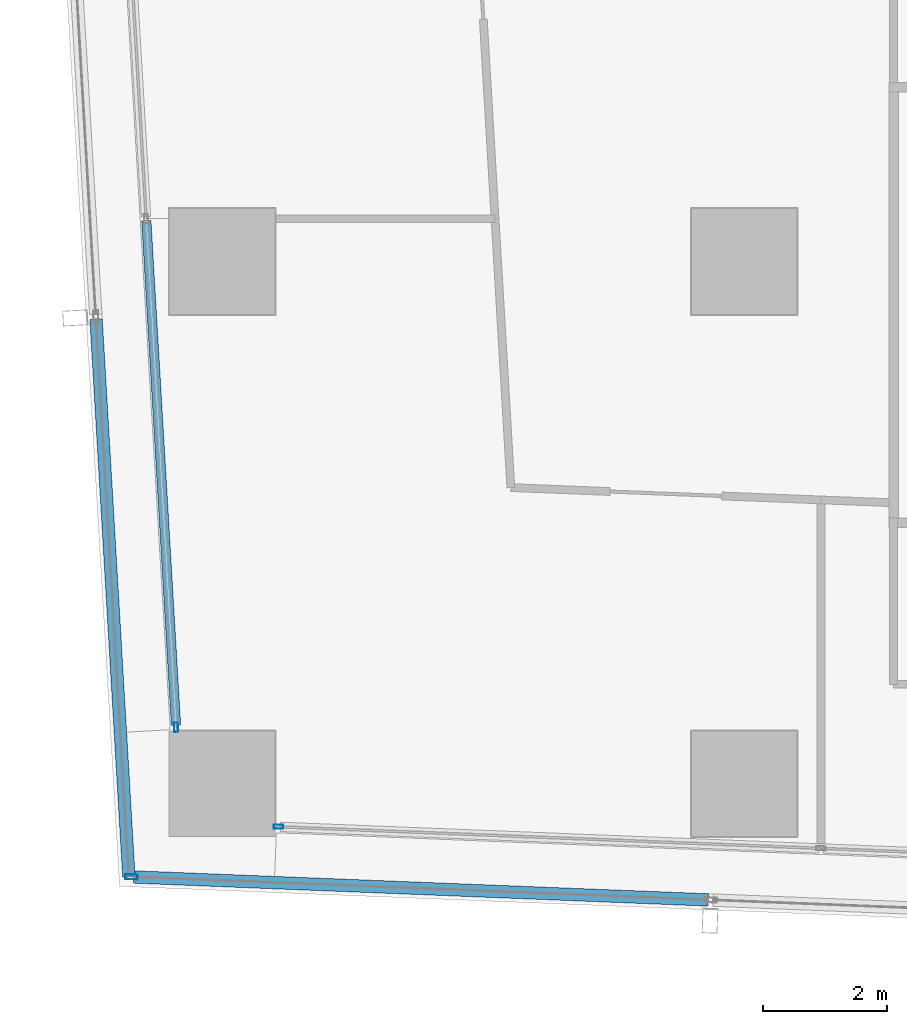
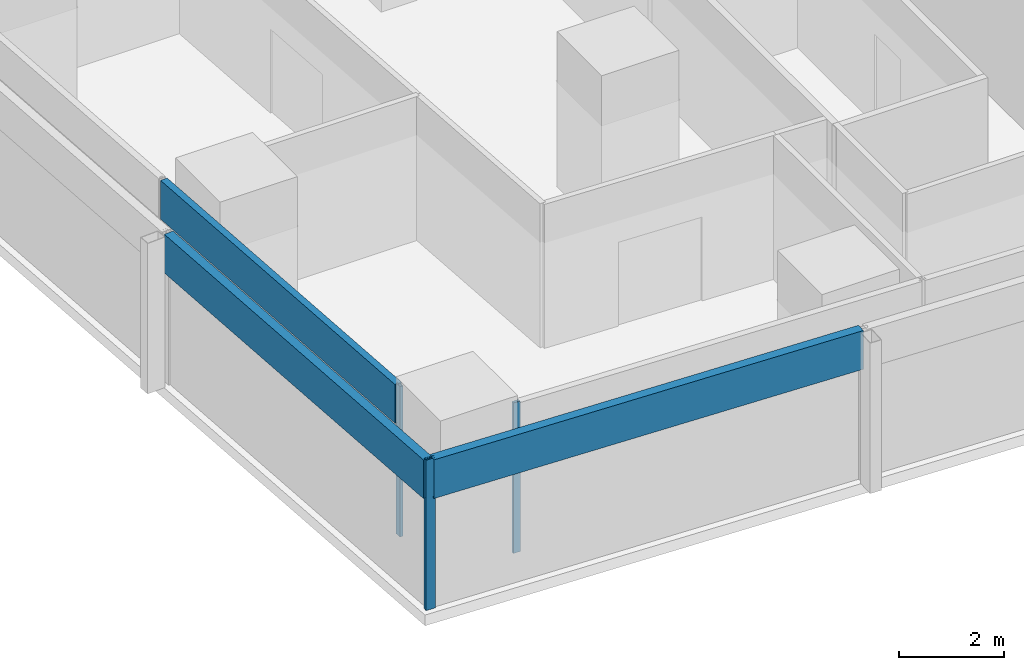
# One storey, part 2 of 34: 6 members, 4 elements without a shape of their own.
"""IFC4 building model written with IfcOpenShell, lengths in metres."""

from ifc_helpers import new_model, si_unit, direction, frame, origin, origin_2d, place, context, subcontext, project, spatial, hollow_rectangle, extrude, material, material_profile, profile_set, type_object, element, aggregate, save


model = new_model("IFC4")

# Units and contexts
model_context = context("Model", 3, precision=1e-05, world=origin(), true_north=direction((0.0, 1.0)))
body_context = subcontext(model_context, "Body", "Model", "MODEL_VIEW")
ifc_project = project(units=[si_unit("LENGTHUNIT", "METRE"), si_unit("AREAUNIT", "SQUARE_METRE"), si_unit("VOLUMEUNIT", "CUBIC_METRE"), si_unit("PLANEANGLEUNIT", "RADIAN"), si_unit("MASSUNIT", "GRAM", prefix="KILO")], contexts=[model_context])

# Site, building, storey
site_placement = place(None, origin())
site = spatial("IfcSite", under=ifc_project, at=site_placement, CompositionType="ELEMENT")
building_placement = place(site_placement, origin())
building = spatial("IfcBuilding", under=site, at=building_placement, Name="Rekha Terrace Tower", CompositionType="ELEMENT")
storey_placement = place(building_placement, frame((0.0, 0.0, 176.449951171875)))
storey = spatial("IfcBuildingStorey", under=building, at=storey_placement, Name="L44", CompositionType="ELEMENT", Elevation=176.449951171875)

# Curtain wall, member
ifc_material_1 = material(Name="Aluminium framing", Category="aluminium")
curtain_wall_type_1 = type_object("IfcCurtainWallType", Name="CW1 double skin inner glazing", PredefinedType="USERDEFINED", material=ifc_material_1)
curtain_wall_1_placement = place(storey_placement, origin())
curtain_wall_1 = element("IfcCurtainWall", 1, at=curtain_wall_1_placement, inside=storey, type_object=curtain_wall_type_1, Name="CW1 double skin inner glazing", ObjectType="DOUBLE SKIN INNER GLAZING", PredefinedType="USERDEFINED")
ifc_material_2 = material(Name="Aluminium mullion section", Category="aluminium")
ifc_material_profile_1 = material_profile(ifc_material_2, hollow_rectangle(XDim=0.06494140625, YDim=0.14990234375, WallThickness=0.00390625, at=origin_2d()), Name="AL RHS 65x150")
ifc_profile_set_1 = profile_set([ifc_material_profile_1], Name="Aluminium mullion section")
member_type_1 = type_object("IfcMemberType", Name="CW1 mullion RHS 65 x 150", PredefinedType="MULLION", material=ifc_profile_set_1)
member_1_placement = place(storey_placement, frame((9.30615234375, 16.10888671875, 0.0), z_axis=(0.0, 0.0, 1.0), x_axis=(0.039872497044, 0.999204775799, 0.0)))
member_1 = element("IfcMember", 2, at=member_1_placement, type_object=member_type_1, Name="CW1 mullion 1", PredefinedType="MULLION", context=body_context, shape_type="SweptSolid", body=[
    extrude(hollow_rectangle(XDim=0.06494140625, YDim=0.14990234375, WallThickness=0.00390625, at=origin_2d()), origin(), (0.0, 0.0, 1.0), 3.5),
])
aggregate(curtain_wall_1, [member_1])

# Curtain wall, members
curtain_wall_2_placement = place(storey_placement, origin())
curtain_wall_2 = element("IfcCurtainWall", 3, at=curtain_wall_2_placement, inside=storey, type_object=curtain_wall_type_1, Name="CW1 double skin inner glazing", ObjectType="DOUBLE SKIN INNER GLAZING", PredefinedType="USERDEFINED")
member_2_placement = place(storey_placement, frame((7.6611328125, 17.7080078125, 0.0), z_axis=(0.0, 0.0, 1.0), x_axis=(0.998271839267, 0.058765082551, 0.0)))
member_2 = element("IfcMember", 4, at=member_2_placement, type_object=member_type_1, Name="CW1 mullion 4", PredefinedType="MULLION", context=body_context, shape_type="SweptSolid", body=[
    extrude(hollow_rectangle(XDim=0.06494140625, YDim=0.14990234375, WallThickness=0.00390625, at=origin_2d()), origin(), (0.0, 0.0, 1.0), 3.5),
])
ifc_material_3 = material(Name="Insulated aluminium spandrel box", Category="aluminium")
ifc_material_profile_2 = material_profile(ifc_material_3, hollow_rectangle(XDim=0.14990234375, YDim=0.89990234375, WallThickness=0.0029296875, at=origin_2d()), Name="AL SPANDREL BOX 150x900")
ifc_profile_set_2 = profile_set([ifc_material_profile_2], Name="Insulated aluminium spandrel box")
member_type_2 = type_object("IfcMemberType", Name="CW1 spandrel transom 150 x 900", PredefinedType="USERDEFINED", material=ifc_profile_set_2)
member_3_placement = place(storey_placement, frame((7.181640625, 25.85595703125, 3.050048828125), z_axis=(0.058771314685, -0.998271472381, 0.0), x_axis=(0.998271472381, 0.058771314685, 0.0)))
member_3 = element("IfcMember", 5, at=member_3_placement, type_object=member_type_2, Name="CW1 spandrel transom 3", ObjectType="TRANSOM", PredefinedType="USERDEFINED", context=body_context, shape_type="SweptSolid", body=[
    extrude(hollow_rectangle(XDim=0.14990234375, YDim=0.89990234375, WallThickness=0.0029296875, at=origin_2d()), origin(), (0.0, 0.0, 1.0), 8.129638671875),
])
aggregate(curtain_wall_2, [member_2, member_3])

curtain_wall_type_2 = type_object("IfcCurtainWallType", Name="CW2 double skin outer glazing", PredefinedType="USERDEFINED", material=ifc_material_1)
curtain_wall_3_placement = place(storey_placement, origin())
curtain_wall_3 = element("IfcCurtainWall", 6, at=curtain_wall_3_placement, inside=storey, type_object=curtain_wall_type_2, Name="CW2 double skin outer glazing", ObjectType="DOUBLE SKIN OUTER GLAZING", PredefinedType="USERDEFINED")
ifc_material_profile_3 = material_profile(ifc_material_2, hollow_rectangle(XDim=0.080078125, YDim=0.199951171875, WallThickness=0.00390625, at=origin_2d()), Name="AL RHS 80x200")
ifc_profile_set_3 = profile_set([ifc_material_profile_3], Name="Aluminium mullion section")
member_type_3 = type_object("IfcMemberType", Name="CW2 mullion RHS 80 x 200", PredefinedType="MULLION", material=ifc_profile_set_3)
member_4_placement = place(storey_placement, frame((6.941162109375, 15.302490234375, 0.0), z_axis=(0.0, 0.0, 1.0), x_axis=(0.039872497044, 0.999204775799, 0.0)))
member_4 = element("IfcMember", 7, at=member_4_placement, type_object=member_type_3, Name="CW2 mullion 1", PredefinedType="MULLION", context=body_context, shape_type="SweptSolid", body=[
    extrude(hollow_rectangle(XDim=0.080078125, YDim=0.199951171875, WallThickness=0.00390625, at=origin_2d()), origin(), (0.0, 0.0, 1.0), 3.5),
])
ifc_material_profile_4 = material_profile(ifc_material_3, hollow_rectangle(XDim=0.199951171875, YDim=0.89990234375, WallThickness=0.0029296875, at=origin_2d()), Name="AL SPANDREL BOX 200x900")
ifc_profile_set_4 = profile_set([ifc_material_profile_4], Name="Insulated aluminium spandrel box")
member_type_4 = type_object("IfcMemberType", Name="CW2 spandrel transom 200 x 900", PredefinedType="USERDEFINED", material=ifc_profile_set_4)
member_5_placement = place(storey_placement, frame((6.981201171875, 15.301025390625, 3.050048828125), z_axis=(0.999203782278, -0.039897386899, 0.0), x_axis=(0.039897386899, 0.999203782278, 0.0)))
member_5 = element("IfcMember", 8, at=member_5_placement, type_object=member_type_4, Name="CW2 spandrel transom 1", ObjectType="TRANSOM", PredefinedType="USERDEFINED", context=body_context, shape_type="SweptSolid", body=[
    extrude(hollow_rectangle(XDim=0.199951171875, YDim=0.89990234375, WallThickness=0.0029296875, at=origin_2d()), origin(), (0.0, 0.0, 1.0), 9.24609375),
])
aggregate(curtain_wall_3, [member_4, member_5])

# Curtain wall, member
curtain_wall_4_placement = place(storey_placement, origin())
curtain_wall_4 = element("IfcCurtainWall", 9, at=curtain_wall_4_placement, inside=storey, type_object=curtain_wall_type_2, Name="CW2 double skin outer glazing", ObjectType="DOUBLE SKIN OUTER GLAZING", PredefinedType="USERDEFINED")
member_6_placement = place(storey_placement, frame((6.373291015625, 24.27197265625, 3.050048828125), z_axis=(0.058757071111, -0.998272310842, 0.0), x_axis=(0.998272310842, 0.058757071111, 0.0)))
member_6 = element("IfcMember", 10, at=member_6_placement, type_object=member_type_4, Name="CW2 spandrel transom 3", ObjectType="TRANSOM", PredefinedType="USERDEFINED", context=body_context, shape_type="SweptSolid", body=[
    extrude(hollow_rectangle(XDim=0.199951171875, YDim=0.89990234375, WallThickness=0.0029296875, at=origin_2d()), origin(), (0.0, 0.0, 1.0), 8.9833984375),
])
aggregate(curtain_wall_4, [member_6])

save(model, "model.ifc")
